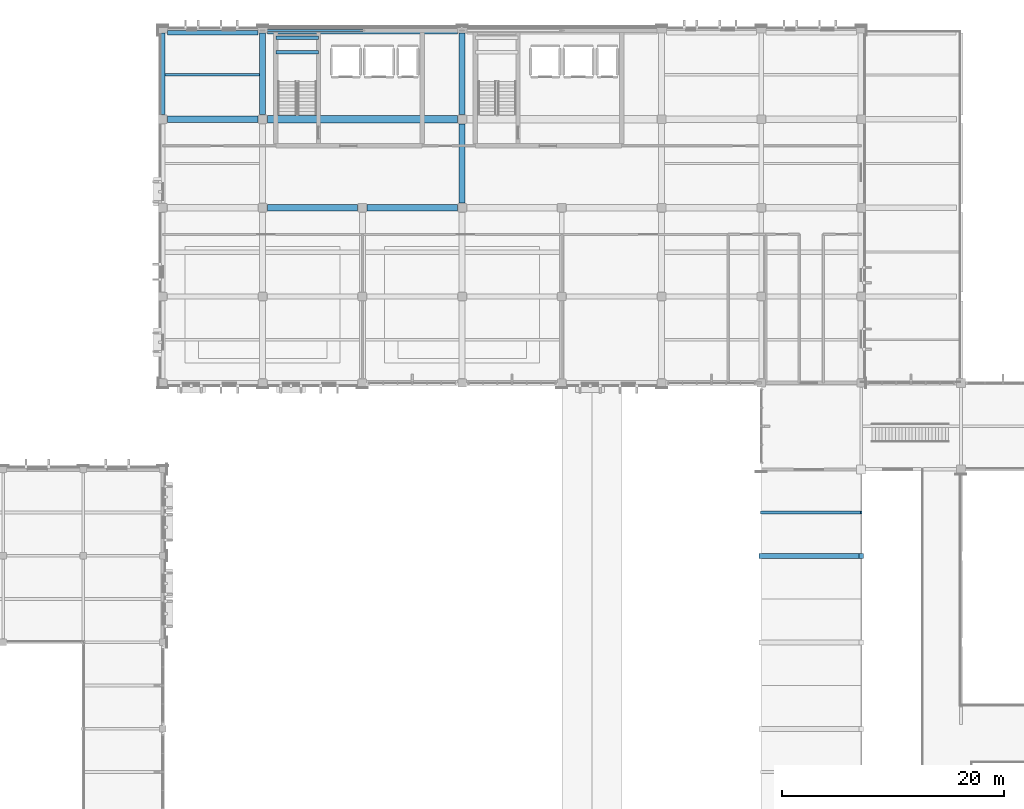
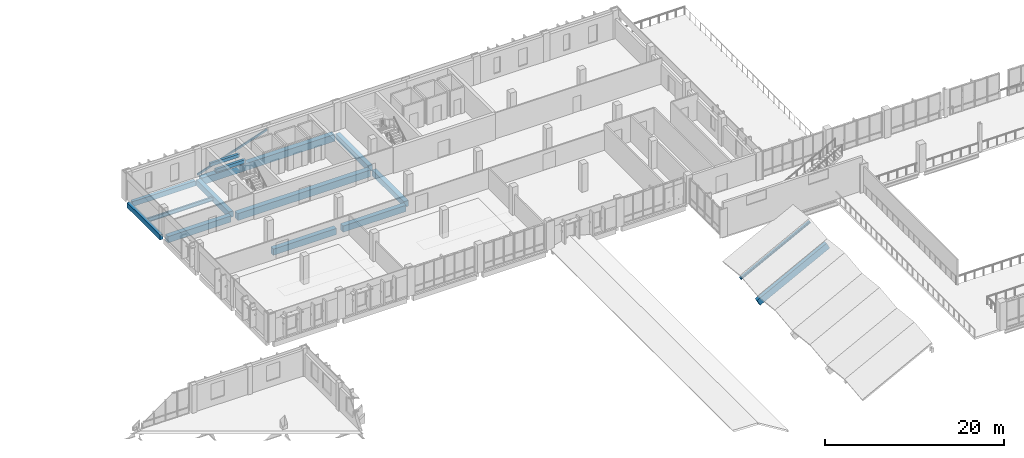
# One storey, part 20 of 64: 14 beams, 2 members.
"""IFC4 building model written with IfcOpenShell, lengths in metres."""

from ifc_helpers import new_model, si_unit, direction, frame, origin, origin_2d, place, context, subcontext, project, spatial, rectangle, hollow_rectangle, i_section, extrude, material, material_profile, profile_set, type_object, element, save


model = new_model("IFC4")

# Units and contexts
model_context = context("Model", 3, precision=1e-05, world=origin(), true_north=direction((0.0, 1.0)))
body_context = subcontext(model_context, "Body", "Model", "MODEL_VIEW")
ifc_project = project(units=[si_unit("LENGTHUNIT", "METRE"), si_unit("AREAUNIT", "SQUARE_METRE"), si_unit("VOLUMEUNIT", "CUBIC_METRE"), si_unit("PLANEANGLEUNIT", "RADIAN"), si_unit("MASSUNIT", "GRAM", prefix="KILO")], contexts=[model_context])

# Site, building, storey
site_placement = place(None, origin())
site = spatial("IfcSite", under=ifc_project, at=site_placement, CompositionType="ELEMENT")
building_placement = place(site_placement, origin())
building = spatial("IfcBuilding", under=site, at=building_placement, Name="Vervanel Yard Central Library", CompositionType="ELEMENT")
storey_placement = place(building_placement, frame((0.0, 0.0, 8.93994140625)))
storey = spatial("IfcBuildingStorey", under=building, at=storey_placement, Name="L02", CompositionType="ELEMENT", Elevation=8.93994140625)

# Beams
ifc_material_1 = material(Name="Concrete C45/55", Category="concrete")
ifc_material_profile_1 = material_profile(ifc_material_1, rectangle(XDim=0.64990234375, YDim=0.949951171875, at=origin_2d()), Name="RC 650x950", Category="concrete")
ifc_profile_set_1 = profile_set([ifc_material_profile_1], Name="Concrete C45/55")
beam_type_1 = type_object("IfcBeamType", Name="Concrete Heavy Stack Girder 650x950", PredefinedType="BEAM", material=ifc_profile_set_1)
for number, where, z_axis, x_axis, name in (
    (1, (45.425048828125, 106.0, -0.780029296875), (1.0, 0.0, 0.0), (0.0, 1.0, 0.0), "L02 Girder CB-04 Y=106.0 X=45.0-63.0"),
    (2, (45.425048828125, 114.0, -0.780029296875), (1.0, 0.0, 0.0), (0.0, 1.0, 0.0), "L02 Girder CB-04 Y=114.0 X=45.0-63.0"),
):
    element("IfcBeam", number, at=place(storey_placement, frame(where, z_axis=z_axis, x_axis=x_axis)), inside=storey, type_object=beam_type_1, Name=name, PredefinedType="BEAM", context=body_context, shape_type="SweptSolid", body=[
        extrude(rectangle(XDim=0.64990234375, YDim=0.949951171875, at=origin_2d()), origin(), (0.0, 0.0, 1.0), 17.14990234375),
    ])
ifc_material_2 = material(Name="Concrete C40/50", Category="concrete")
ifc_material_profile_2 = material_profile(ifc_material_2, rectangle(XDim=0.300048828125, YDim=0.449951171875, at=origin_2d()), Name="RC 300x450", Category="concrete")
ifc_profile_set_2 = profile_set([ifc_material_profile_2], Name="Concrete C40/50")
beam_type_2 = type_object("IfcBeamType", Name="Concrete Opening Lintel 300x450", PredefinedType="LINTEL", material=ifc_profile_set_2)
for number, where, z_axis, x_axis, name in (
    (3, (46.199951171875, 112.050048828125, 1.4951171875), (1.0, 0.0, 0.0), (0.0, 1.0, 0.0), "L02 CORE-A Stair Landing Beam 5"),
    (4, (46.199951171875, 113.35009765625, 1.4951171875), (1.0, 0.0, 0.0), (0.0, 1.0, 0.0), "L02 CORE-A Stair Landing Beam 6"),
):
    element("IfcBeam", number, at=place(storey_placement, frame(where, z_axis=z_axis, x_axis=x_axis)), inside=storey, type_object=beam_type_2, Name=name, PredefinedType="LINTEL", context=body_context, shape_type="SweptSolid", body=[
        extrude(rectangle(XDim=0.300048828125, YDim=0.449951171875, at=origin_2d()), origin(), (0.0, 0.0, 1.0), 3.824951171875),
    ])
ifc_material_profile_3 = material_profile(ifc_material_2, rectangle(XDim=0.419921875, YDim=0.679931640625, at=origin_2d()), Name="RC 420x680", Category="concrete")
ifc_profile_set_3 = profile_set([ifc_material_profile_3], Name="Concrete C40/50")
beam_type_3 = type_object("IfcBeamType", Name="Concrete Perimeter Spandrel 420x680", PredefinedType="SPANDREL", material=ifc_profile_set_3)
beam_1_placement = place(storey_placement, frame((36.425048828125, 113.800048828125, -0.64501953125), z_axis=(1.0, 0.0, 0.0), x_axis=(0.0, 1.0, 0.0)))
element("IfcBeam", 5, at=beam_1_placement, inside=storey, type_object=beam_type_3, Name="L02 Girder SP-04 Y=114.0 X=36.0-45.0", PredefinedType="SPANDREL", context=body_context, shape_type="SweptSolid", body=[
    extrude(rectangle(XDim=0.419921875, YDim=0.679931640625, at=origin_2d()), origin(), (0.0, 0.0, 1.0), 8.14990234375),
])
beam_2_placement = place(storey_placement, frame((36.0, 106.425048828125, -0.64501953125), z_axis=(0.0, 1.0, 0.0), x_axis=(-1.0, 0.0, 0.0)))
element("IfcBeam", 6, at=beam_2_placement, inside=storey, type_object=beam_type_3, Name="L02 Girder SP-04 X=36.0 Y=106.0-114.0", PredefinedType="SPANDREL", context=body_context, shape_type="SweptSolid", body=[
    extrude(rectangle(XDim=0.419921875, YDim=0.679931640625, at=origin_2d()), origin(), (0.0, 0.0, 1.0), 7.349853515625),
])
ifc_material_profile_4 = material_profile(ifc_material_2, rectangle(XDim=0.550048828125, YDim=0.800048828125, at=origin_2d()), Name="RC 550x800", Category="concrete")
ifc_profile_set_4 = profile_set([ifc_material_profile_4], Name="Concrete C40/50")
beam_type_4 = type_object("IfcBeamType", Name="Concrete Primary Girder 550x800", PredefinedType="BEAM", material=ifc_profile_set_4)
beam_3_placement = place(storey_placement, frame((45.0, 106.425048828125, -0.704833984375), z_axis=(0.0, 1.0, 0.0), x_axis=(-1.0, 0.0, 0.0)))
element("IfcBeam", 7, at=beam_3_placement, inside=storey, type_object=beam_type_4, Name="L02 Girder CB-02 X=45.0 Y=106.0-114.0", PredefinedType="BEAM", context=body_context, shape_type="SweptSolid", body=[
    extrude(rectangle(XDim=0.550048828125, YDim=0.800048828125, at=origin_2d()), origin(), (0.0, 0.0, 1.0), 7.349853515625),
])
beam_4_placement = place(storey_placement, frame((63.0, 98.425048828125, -0.704833984375), z_axis=(0.0, 1.0, 0.0), x_axis=(-1.0, 0.0, 0.0)))
element("IfcBeam", 8, at=beam_4_placement, inside=storey, type_object=beam_type_4, Name="L02 Girder CB-02 X=63.0 Y=98.0-106.0", PredefinedType="BEAM", context=body_context, shape_type="SweptSolid", body=[
    extrude(rectangle(XDim=0.550048828125, YDim=0.800048828125, at=origin_2d()), origin(), (0.0, 0.0, 1.0), 7.14990234375),
])
beam_5_placement = place(storey_placement, frame((63.0, 106.425048828125, -0.704833984375), z_axis=(0.0, 1.0, 0.0), x_axis=(-1.0, 0.0, 0.0)))
element("IfcBeam", 9, at=beam_5_placement, inside=storey, type_object=beam_type_4, Name="L02 Girder CB-02 X=63.0 Y=106.0-114.0", PredefinedType="BEAM", context=body_context, shape_type="SweptSolid", body=[
    extrude(rectangle(XDim=0.550048828125, YDim=0.800048828125, at=origin_2d()), origin(), (0.0, 0.0, 1.0), 7.349853515625),
])
ifc_material_profile_5 = material_profile(ifc_material_1, rectangle(XDim=0.60009765625, YDim=0.85009765625, at=origin_2d()), Name="RC 600x850", Category="concrete")
ifc_profile_set_5 = profile_set([ifc_material_profile_5], Name="Concrete C45/55")
beam_type_5 = type_object("IfcBeamType", Name="Concrete Stack Girder 600x850", PredefinedType="BEAM", material=ifc_profile_set_5)
for number, where, z_axis, x_axis, name in (
    (10, (45.425048828125, 98.0, -0.72998046875), (1.0, 0.0, 0.0), (0.0, 1.0, 0.0), "L02 Girder CB-03 Y=98.0 X=45.0-54.0"),
    (11, (54.425048828125, 98.0, -0.72998046875), (1.0, 0.0, 0.0), (0.0, 1.0, 0.0), "L02 Girder CB-03 Y=98.0 X=54.0-63.0"),
    (12, (36.425048828125, 106.0, -0.72998046875), (1.0, 0.0, 0.0), (0.0, 1.0, 0.0), "L02 Girder CB-03 Y=106.0 X=36.0-45.0"),
):
    element("IfcBeam", number, at=place(storey_placement, frame(where, z_axis=z_axis, x_axis=x_axis)), inside=storey, type_object=beam_type_5, Name=name, PredefinedType="BEAM", context=body_context, shape_type="SweptSolid", body=[
        extrude(rectangle(XDim=0.60009765625, YDim=0.85009765625, at=origin_2d()), origin(), (0.0, 0.0, 1.0), 8.14990234375),
    ])
ifc_material_profile_6 = material_profile(ifc_material_1, rectangle(XDim=0.449951171875, YDim=0.89990234375, at=origin_2d()), Name="RC 450x900", Category="concrete")
ifc_profile_set_6 = profile_set([ifc_material_profile_6], Name="Concrete C45/55")
beam_type_6 = type_object("IfcBeamType", Name="Folded Shell Concrete Valley Rib 450x900", PredefinedType="BEAM", material=ifc_profile_set_6)
beam_6_placement = place(storey_placement, frame((90.0, 66.60009765625, -4.25), z_axis=(0.887416545796, 0.0, 0.460968409165), x_axis=(0.0, 1.0, 0.0)))
element("IfcBeam", 13, at=beam_6_placement, inside=storey, type_object=beam_type_6, Name="Folded Shell Valley Rib Bay 1 Y=66.6", PredefinedType="BEAM", context=body_context, shape_type="SweptSolid", body=[
    extrude(rectangle(XDim=0.449951171875, YDim=0.89990234375, at=origin_2d()), origin(), (0.0, 0.0, 1.0), 10.141845703125),
])

# Members
ifc_material_3 = material(Name="Steel ASTM A500 Grade C", Category="steel")
ifc_material_profile_7 = material_profile(ifc_material_3, hollow_rectangle(XDim=0.15234375, YDim=0.25390625, WallThickness=0.01171875, at=origin_2d()), Name="HSS10X6X1/2", Category="steel")
ifc_profile_set_7 = profile_set([ifc_material_profile_7], Name="Steel ASTM A500 Grade C")
member_type_1 = type_object("IfcMemberType", Name="Lateral Frame Brace HSS10X6X1/2", PredefinedType="BRACE", material=ifc_profile_set_7)
member_1_placement = place(storey_placement, frame((45.0, 114.0, 0.150146484375), z_axis=(0.947893535733, 0.0, 0.318587264207), x_axis=(0.0, 1.0, 0.0)))
element("IfcMember", 14, at=member_1_placement, inside=storey, type_object=member_type_1, Name="L02 Stack Spine Lateral Brace 2", PredefinedType="BRACE", context=body_context, shape_type="SweptSolid", body=[
    extrude(hollow_rectangle(XDim=0.15234375, YDim=0.25390625, WallThickness=0.01171875, at=origin_2d()), origin(), (0.0, 0.0, 1.0), 9.49462890625),
])
ifc_material_4 = material(Name="Steel ASTM A992 Grade 50", Category="steel")
ifc_material_profile_8 = material_profile(ifc_material_4, i_section(OverallWidth=0.25390625, OverallDepth=0.307373046875, WebThickness=0.0087890625, FlangeThickness=0.0146484375, at=origin_2d()), Name="W12X53", Category="steel")
ifc_profile_set_8 = profile_set([ifc_material_profile_8], Name="Steel ASTM A992 Grade 50")
member_type_2 = type_object("IfcMemberType", Name="Shell Roof Purlin W12X53", PredefinedType="PURLIN", material=ifc_profile_set_8)
member_2_placement = place(storey_placement, frame((90.0, 70.5, -3.438232421875), z_axis=(0.887416545796, 0.0, 0.460968409165), x_axis=(0.0, 1.0, 0.0)))
element("IfcMember", 15, at=member_2_placement, inside=storey, type_object=member_type_2, Name="Shell Ridge Purlin Bay 1 Y=70.5", PredefinedType="PURLIN", context=body_context, shape_type="SweptSolid", body=[
    extrude(i_section(OverallWidth=0.25390625, OverallDepth=0.307373046875, WebThickness=0.0087890625, FlangeThickness=0.0146484375, at=origin_2d()), origin(), (0.0, 0.0, 1.0), 10.141845703125),
])

# Beam
ifc_material_profile_9 = material_profile(ifc_material_4, i_section(OverallWidth=0.2099609375, OverallDepth=0.535888671875, WebThickness=0.010986328125, FlangeThickness=0.017333984375, at=origin_2d()), Name="W21X68", Category="steel")
ifc_profile_set_9 = profile_set([ifc_material_profile_9], Name="Steel ASTM A992 Grade 50")
beam_type_7 = type_object("IfcBeamType", Name="Steel Stack Floor Joist W21X68", PredefinedType="JOIST", material=ifc_profile_set_9)
beam_7_placement = place(storey_placement, frame((36.2099609375, 110.0, -0.572998046875), z_axis=(1.0, 0.0, 0.0), x_axis=(0.0, 1.0, 0.0)))
element("IfcBeam", 16, at=beam_7_placement, inside=storey, type_object=beam_type_7, Name="L02 Floor Joist SJ-04 Y=110.00 X=36.0-45.0", PredefinedType="JOIST", context=body_context, shape_type="SweptSolid", body=[
    extrude(i_section(OverallWidth=0.2099609375, OverallDepth=0.535888671875, WebThickness=0.010986328125, FlangeThickness=0.017333984375, at=origin_2d()), origin(), (0.0, 0.0, 1.0), 8.51513671875),
])

save(model, "model.ifc")
